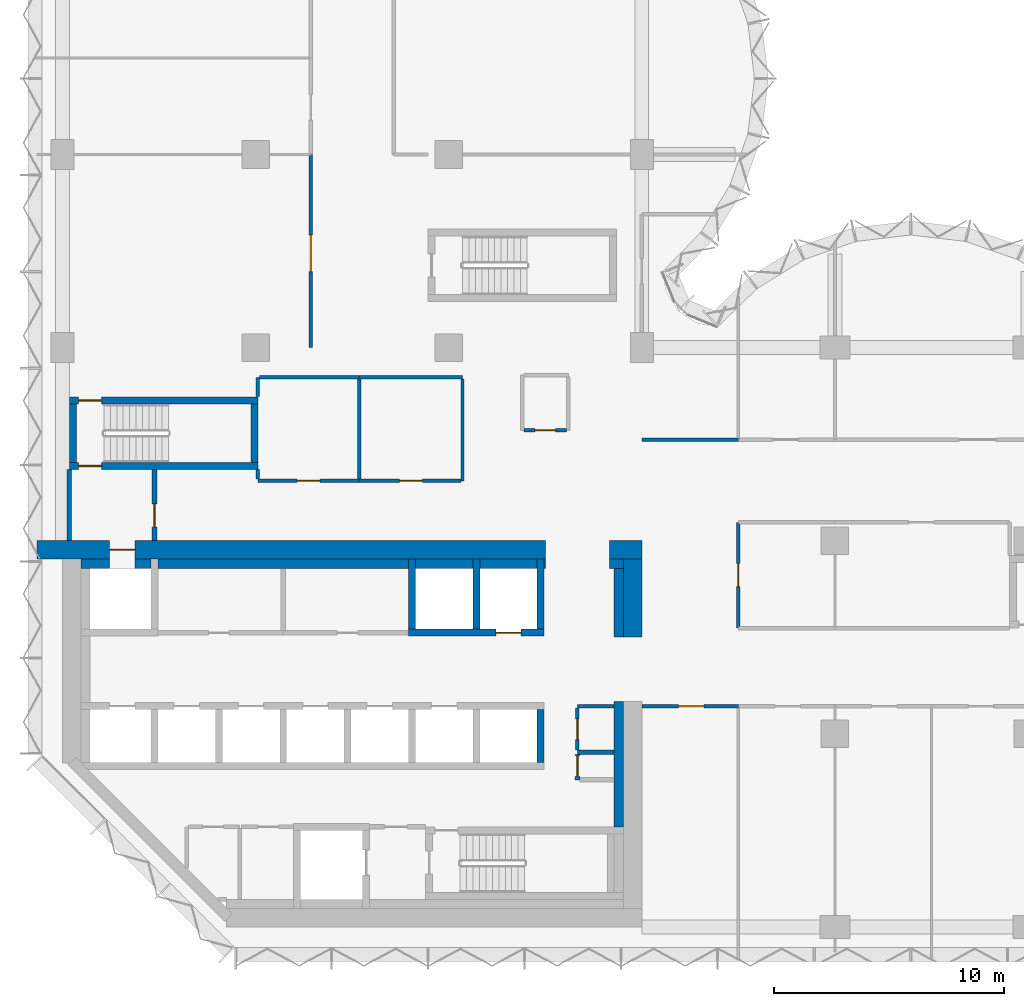
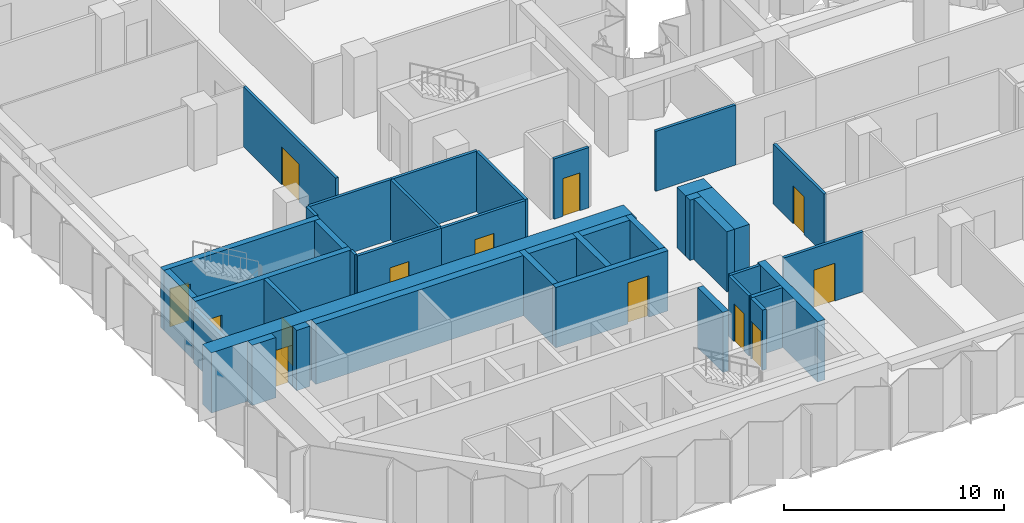
# One storey, part 8 of 13: 40 walls, 13 doors, 13 openings.
"""IFC4 building model written with IfcOpenShell, lengths in metres."""

from ifc_helpers import new_model, si_unit, direction, frame, frame_2d, origin, place, context, subcontext, project, spatial, rectangle, extrude, material, layer, layer_set, type_object, element, fill, save


model = new_model("IFC4")

# Units and contexts
model_context = context("Model", 3, precision=1e-05, world=origin(), true_north=direction((0.0, 1.0)))
body_context = subcontext(model_context, "Body", "Model", "MODEL_VIEW")
ifc_project = project(units=[si_unit("LENGTHUNIT", "METRE"), si_unit("AREAUNIT", "SQUARE_METRE"), si_unit("VOLUMEUNIT", "CUBIC_METRE"), si_unit("PLANEANGLEUNIT", "RADIAN"), si_unit("MASSUNIT", "GRAM", prefix="KILO")], contexts=[model_context])

# Site, building, storey
site_placement = place(None, origin())
site = spatial("IfcSite", under=ifc_project, at=site_placement, CompositionType="ELEMENT")
building_placement = place(site_placement, origin())
building = spatial("IfcBuilding", under=site, at=building_placement, Name="Brevane Broadcast Tower", CompositionType="ELEMENT")
storey_placement = place(building_placement, frame((0.0, 0.0, 131.300048828125)))
storey = spatial("IfcBuildingStorey", under=building, at=storey_placement, Name="L32", CompositionType="ELEMENT", Elevation=131.300048828125)

# Walls
ifc_material_1 = material(Name="Concrete C32/40", Category="concrete")
ifc_layer_1 = layer(ifc_material_1, 0.39990234375)
ifc_layer_set_1 = layer_set([ifc_layer_1], Name="Core chase wall 400 mm")
wall_type_1 = type_object("IfcWallType", Name="Core chase wall 400 mm", PredefinedType="PARTITIONING", material=ifc_layer_set_1)
wall_1_placement = place(storey_placement, frame((24.199951171875, 12.60009765625, 0.0), z_axis=(0.0, 0.0, 1.0), x_axis=(0.0, 1.0, 0.0)))
element("IfcWall", 1, at=wall_1_placement, inside=storey, type_object=wall_type_1, Name="L32 chase wall LE2", PredefinedType="PARTITIONING", context=body_context, shape_type="SweptSolid", body=[
    extrude(rectangle(XDim=3.0, YDim=0.39990234375, at=frame_2d((1.5, 0.0))), origin(), (0.0, 0.0, 1.0), 3.349853515625),
])
wall_2_placement = place(storey_placement, frame((0.800048828125, 15.800048828125, 0.0), z_axis=(0.0, 0.0, 1.0), x_axis=(1.0, 0.0, 0.0)))
element("IfcWall", 2, at=wall_2_placement, inside=storey, type_object=wall_type_1, Name="L32 chase wall LN0", PredefinedType="PARTITIONING", context=body_context, shape_type="SweptSolid", body=[
    extrude(rectangle(XDim=1.25, YDim=0.39990234375, at=frame_2d((0.625, 0.0))), origin(), (0.0, 0.0, 1.0), 3.349853515625),
])
wall_3_placement = place(storey_placement, frame((23.800048828125, 15.800048828125, 0.0), z_axis=(0.0, 0.0, 1.0), x_axis=(1.0, 0.0, 0.0)))
element("IfcWall", 3, at=wall_3_placement, inside=storey, type_object=wall_type_1, Name="L32 chase wall LN2", PredefinedType="PARTITIONING", context=body_context, shape_type="SweptSolid", body=[
    extrude(rectangle(XDim=0.599853515625, YDim=0.39990234375, at=frame_2d((0.2998046875, 0.0))), origin(), (0.0, 0.0, 1.0), 3.349853515625),
])
wall_4_placement = place(storey_placement, frame((3.14990234375, 15.800048828125, 0.0), z_axis=(0.0, 0.0, 1.0), x_axis=(1.0, 0.0, 0.0)))
element("IfcWall", 4, at=wall_4_placement, inside=storey, type_object=wall_type_1, Name="L32 chase wall LN1-1", PredefinedType="PARTITIONING", context=body_context, shape_type="SweptSolid", body=[
    extrude(rectangle(XDim=0.7001953125, YDim=0.39990234375, at=frame_2d((0.35009765625, 0.0))), origin(), (0.0, 0.0, 1.0), 3.349853515625),
])
wall_5_placement = place(storey_placement, frame((4.14990234375, 15.800048828125, 0.0), z_axis=(0.0, 0.0, 1.0), x_axis=(1.0, 0.0, 0.0)))
element("IfcWall", 5, at=wall_5_placement, inside=storey, type_object=wall_type_1, Name="L32 chase wall LN1-2-1", PredefinedType="PARTITIONING", context=body_context, shape_type="SweptSolid", body=[
    extrude(rectangle(XDim=10.900146484375, YDim=0.39990234375, at=frame_2d((5.4501953125, 0.0))), origin(), (0.0, 0.0, 1.0), 3.349853515625),
])
for number, where, z_axis, x_axis, name in (
    (6, (15.35009765625, 15.800048828125, 0.0), (0.0, 0.0, 1.0), (1.0, 0.0, 0.0), "L32 chase wall LN1-2-2-1"),
    (7, (18.14990234375, 15.800048828125, 0.0), (0.0, 0.0, 1.0), (1.0, 0.0, 0.0), "L32 chase wall LN1-2-2-2-1"),
):
    element("IfcWall", number, at=place(storey_placement, frame(where, z_axis=z_axis, x_axis=x_axis)), inside=storey, type_object=wall_type_1, Name=name, PredefinedType="PARTITIONING", context=body_context, shape_type="SweptSolid", body=[
        extrude(rectangle(XDim=2.5, YDim=0.39990234375, at=frame_2d((1.25, 0.0))), origin(), (0.0, 0.0, 1.0), 3.349853515625),
    ])
wall_6_placement = place(storey_placement, frame((20.949951171875, 15.800048828125, 0.0), z_axis=(0.0, 0.0, 1.0), x_axis=(1.0, 0.0, 0.0)))
element("IfcWall", 8, at=wall_6_placement, inside=storey, type_object=wall_type_1, Name="L32 chase wall LN1-2-2-2-2", PredefinedType="PARTITIONING", context=body_context, shape_type="SweptSolid", body=[
    extrude(rectangle(XDim=0.050048828125, YDim=0.39990234375, at=frame_2d((0.02490234375, 0.0))), origin(), (0.0, 0.0, 1.0), 3.349853515625),
])
wall_7_placement = place(storey_placement, frame((24.199951171875, 4.35009765625, 0.0), z_axis=(0.0, 0.0, 1.0), x_axis=(0.0, 1.0, 0.0)))
element("IfcWall", 9, at=wall_7_placement, inside=storey, type_object=wall_type_1, Name="L32 chase wall LE1-2-2", PredefinedType="PARTITIONING", context=body_context, shape_type="SweptSolid", body=[
    extrude(rectangle(XDim=5.449951171875, YDim=0.39990234375, at=frame_2d((2.72509765625, 0.0))), origin(), (0.0, 0.0, 1.0), 3.349853515625),
])

# Wall, opening, door
ifc_material_2 = material(Name="Gypsum board on steel studs", Category="steel")
ifc_layer_2 = layer(ifc_material_2, 0.14990234375)
ifc_layer_set_2 = layer_set([ifc_layer_2], Name="Core fire partition 150 mm")
wall_type_2 = type_object("IfcWallType", Name="Core fire partition 150 mm", PredefinedType="PARTITIONING", material=ifc_layer_set_2)
wall_8_placement = place(storey_placement, frame((12.89990234375, 19.39990234375, 0.0), z_axis=(0.0, 0.0, 1.0), x_axis=(-1.0, 0.0, 0.0)))
wall_8 = element("IfcWall", 10, at=wall_8_placement, inside=storey, type_object=wall_type_2, Name="L32 partition wall P15", PredefinedType="PARTITIONING", context=body_context, shape_type="SweptSolid", body=[
    extrude(rectangle(XDim=4.39990234375, YDim=0.14990234375, at=frame_2d((2.199951171875, 0.0))), origin(), (0.0, 0.0, 1.0), 3.349853515625),
])
opening_1_placement = place(wall_8_placement, frame((1.699951171875, 0.0, 0.0)))
opening_1 = element("IfcOpeningElement", 11, at=opening_1_placement, cuts=wall_8, Name="Opening L32-K25", PredefinedType="OPENING", context=body_context, shape_type="SweptSolid", body=[
    extrude(rectangle(XDim=1.0, YDim=2.10009765625, at=frame_2d((0.5, 1.050048828125))), frame((0.0, 0.0849609375, 0.0), z_axis=(0.0, -1.0, 0.0), x_axis=(1.0, 0.0, 0.0)), (0.0, 0.0, 1.0), 0.169921875),
])
ifc_material_3 = material(Name="Steel", Category="steel")
door_type_1 = type_object("IfcDoorType", Name="Service room door 1000 x 2100", OperationType="SINGLE_SWING_LEFT", PredefinedType="DOOR", material=ifc_material_3)
door_1_placement = place(opening_1_placement, origin())
door_1 = element("IfcDoor", 12, at=door_1_placement, inside=storey, type_object=door_type_1, Name="Door L32-K25", OperationType="SINGLE_SWING_RIGHT", OverallHeight=2.10009765625, OverallWidth=1.0, PredefinedType="DOOR", context=body_context, shape_type="SweptSolid", body=[
    extrude(rectangle(XDim=1.0, YDim=2.10009765625, at=frame_2d((0.5, 1.050048828125))), frame((0.0, 0.02490234375, 0.0), z_axis=(0.0, -1.0, 0.0), x_axis=(1.0, 0.0, 0.0)), (0.0, 0.0, 1.0), 0.050048828125),
])
fill(opening_1, door_1)

# Walls
wall_9_placement = place(storey_placement, frame((8.5, 19.47509765625, 0.0), z_axis=(0.0, 0.0, 1.0), x_axis=(0.0, 1.0, 0.0)))
element("IfcWall", 13, at=wall_9_placement, inside=storey, type_object=wall_type_2, Name="L32 partition wall P16", PredefinedType="PARTITIONING", context=body_context, shape_type="SweptSolid", body=[
    extrude(rectangle(XDim=0.412841796875, YDim=0.14990234375, at=frame_2d((0.20654296875, 0.0))), origin(), (0.0, 0.0, 1.0), 3.349853515625),
])
wall_10_placement = place(storey_placement, frame((8.5, 23.06201171875, 0.0), z_axis=(0.0, 0.0, 1.0), x_axis=(0.0, 1.0, 0.0)))
element("IfcWall", 14, at=wall_10_placement, inside=storey, type_object=wall_type_2, Name="L32 partition wall P17", PredefinedType="PARTITIONING", context=body_context, shape_type="SweptSolid", body=[
    extrude(rectangle(XDim=0.837890625, YDim=0.14990234375, at=frame_2d((0.4189453125, 0.0))), origin(), (0.0, 0.0, 1.0), 3.349853515625),
])
wall_11_placement = place(storey_placement, frame((8.574951171875, 23.89990234375, 0.0), z_axis=(0.0, 0.0, 1.0), x_axis=(1.0, 0.0, 0.0)))
element("IfcWall", 15, at=wall_11_placement, inside=storey, type_object=wall_type_2, Name="L32 partition wall P18", PredefinedType="PARTITIONING", context=body_context, shape_type="SweptSolid", body=[
    extrude(rectangle(XDim=4.324951171875, YDim=0.14990234375, at=frame_2d((2.16259765625, 0.0))), origin(), (0.0, 0.0, 1.0), 3.349853515625),
])
wall_12_placement = place(storey_placement, frame((12.89990234375, 23.89990234375, 0.0), z_axis=(0.0, 0.0, 1.0), x_axis=(1.0, 0.0, 0.0)))
element("IfcWall", 16, at=wall_12_placement, inside=storey, type_object=wall_type_2, Name="L32 partition wall P19", PredefinedType="PARTITIONING", context=body_context, shape_type="SweptSolid", body=[
    extrude(rectangle(XDim=4.5, YDim=0.14990234375, at=frame_2d((2.25, 0.0))), origin(), (0.0, 0.0, 1.0), 3.349853515625),
])
wall_13_placement = place(storey_placement, frame((17.39990234375, 23.824951171875, 0.0), z_axis=(0.0, 0.0, 1.0), x_axis=(0.0, -1.0, 0.0)))
element("IfcWall", 17, at=wall_13_placement, inside=storey, type_object=wall_type_2, Name="L32 partition wall P20", PredefinedType="PARTITIONING", context=body_context, shape_type="SweptSolid", body=[
    extrude(rectangle(XDim=4.425048828125, YDim=0.14990234375, at=frame_2d((2.21240234375, 0.0))), origin(), (0.0, 0.0, 1.0), 3.349853515625),
])

# Wall, opening, door
wall_14_placement = place(storey_placement, frame((17.324951171875, 19.39990234375, 0.0), z_axis=(0.0, 0.0, 1.0), x_axis=(-1.0, 0.0, 0.0)))
wall_14 = element("IfcWall", 18, at=wall_14_placement, inside=storey, type_object=wall_type_2, Name="L32 partition wall P21", PredefinedType="PARTITIONING", context=body_context, shape_type="SweptSolid", body=[
    extrude(rectangle(XDim=4.425048828125, YDim=0.14990234375, at=frame_2d((2.21240234375, 0.0))), origin(), (0.0, 0.0, 1.0), 3.349853515625),
])
opening_2_placement = place(wall_14_placement, frame((1.675048828125, 0.0, 0.0)))
opening_2 = element("IfcOpeningElement", 19, at=opening_2_placement, cuts=wall_14, Name="Opening L32-K26", PredefinedType="OPENING", context=body_context, shape_type="SweptSolid", body=[
    extrude(rectangle(XDim=1.0, YDim=2.10009765625, at=frame_2d((0.5, 1.050048828125))), frame((0.0, 0.0849609375, 0.0), z_axis=(0.0, -1.0, 0.0), x_axis=(1.0, 0.0, 0.0)), (0.0, 0.0, 1.0), 0.169921875),
])
door_2_placement = place(opening_2_placement, origin())
door_2 = element("IfcDoor", 20, at=door_2_placement, inside=storey, type_object=door_type_1, Name="Door L32-K26", OperationType="SINGLE_SWING_LEFT", OverallHeight=2.10009765625, OverallWidth=1.0, PredefinedType="DOOR", context=body_context, shape_type="SweptSolid", body=[
    extrude(rectangle(XDim=1.0, YDim=2.10009765625, at=frame_2d((0.5, 1.050048828125))), frame((0.0, 0.02490234375, 0.0), z_axis=(0.0, -1.0, 0.0), x_axis=(1.0, 0.0, 0.0)), (0.0, 0.0, 1.0), 0.050048828125),
])
fill(opening_2, door_2)

# Walls
wall_15_placement = place(storey_placement, frame((12.89990234375, 23.824951171875, 0.0), z_axis=(0.0, 0.0, 1.0), x_axis=(0.0, -1.0, 0.0)))
element("IfcWall", 21, at=wall_15_placement, inside=storey, type_object=wall_type_2, Name="L32 partition wall P22", PredefinedType="PARTITIONING", context=body_context, shape_type="SweptSolid", body=[
    extrude(rectangle(XDim=4.349853515625, YDim=0.14990234375, at=frame_2d((2.1748046875, 0.0))), origin(), (0.0, 0.0, 1.0), 3.349853515625),
])
wall_16_placement = place(storey_placement, frame((23.988037109375, 9.60009765625, 0.0), z_axis=(0.0, 0.0, 1.0), x_axis=(-1.0, 0.0, 0.0)))
element("IfcWall", 22, at=wall_16_placement, inside=storey, type_object=wall_type_2, Name="L32 partition wall P23", PredefinedType="PARTITIONING", context=body_context, shape_type="SweptSolid", body=[
    extrude(rectangle(XDim=1.588134765625, YDim=0.14990234375, at=frame_2d((0.7939453125, 0.0))), origin(), (0.0, 0.0, 1.0), 3.349853515625),
])

# Wall, opening, door
wall_17_placement = place(storey_placement, frame((22.39990234375, 9.52490234375, 0.0), z_axis=(0.0, 0.0, 1.0), x_axis=(0.0, -1.0, 0.0)))
wall_17 = element("IfcWall", 23, at=wall_17_placement, inside=storey, type_object=wall_type_2, Name="L32 partition wall P24", PredefinedType="PARTITIONING", context=body_context, shape_type="SweptSolid", body=[
    extrude(rectangle(XDim=1.824951171875, YDim=0.14990234375, at=frame_2d((0.91259765625, 0.0))), origin(), (0.0, 0.0, 1.0), 3.349853515625),
])
opening_3_placement = place(wall_17_placement, frame((0.47509765625, 0.0, 0.0)))
opening_3 = element("IfcOpeningElement", 24, at=opening_3_placement, cuts=wall_17, Name="Opening L32-K20", PredefinedType="OPENING", context=body_context, shape_type="SweptSolid", body=[
    extrude(rectangle(XDim=0.89990234375, YDim=2.10009765625, at=frame_2d((0.449951171875, 1.050048828125))), frame((0.0, 0.0849609375, 0.0), z_axis=(0.0, -1.0, 0.0), x_axis=(1.0, 0.0, 0.0)), (0.0, 0.0, 1.0), 0.169921875),
])
door_type_2 = type_object("IfcDoorType", Name="Service room door 900 x 2100", OperationType="SINGLE_SWING_LEFT", PredefinedType="DOOR", material=ifc_material_3)
door_3_placement = place(opening_3_placement, origin())
door_3 = element("IfcDoor", 25, at=door_3_placement, inside=storey, type_object=door_type_2, Name="Door L32-K20", OperationType="SINGLE_SWING_LEFT", OverallHeight=2.10009765625, OverallWidth=0.89990234375, PredefinedType="DOOR", context=body_context, shape_type="SweptSolid", body=[
    extrude(rectangle(XDim=0.89990234375, YDim=2.10009765625, at=frame_2d((0.449951171875, 1.050048828125))), frame((0.0, 0.02490234375, 0.0), z_axis=(0.0, -1.0, 0.0), x_axis=(1.0, 0.0, 0.0)), (0.0, 0.0, 1.0), 0.050048828125),
])
fill(opening_3, door_3)

wall_18_placement = place(storey_placement, frame((21.925048828125, 21.60009765625, 0.0), z_axis=(0.0, 0.0, 1.0), x_axis=(-1.0, 0.0, 0.0)))
wall_18 = element("IfcWall", 26, at=wall_18_placement, inside=storey, type_object=wall_type_2, Name="L32 partition wall P28", PredefinedType="PARTITIONING", context=body_context, shape_type="SweptSolid", body=[
    extrude(rectangle(XDim=1.85009765625, YDim=0.14990234375, at=frame_2d((0.925048828125, 0.0))), origin(), (0.0, 0.0, 1.0), 3.349853515625),
])
opening_4_placement = place(wall_18_placement, frame((0.47509765625, 0.0, 0.0)))
opening_4 = element("IfcOpeningElement", 27, at=opening_4_placement, cuts=wall_18, Name="Opening L32-K24", PredefinedType="OPENING", context=body_context, shape_type="SweptSolid", body=[
    extrude(rectangle(XDim=0.89990234375, YDim=2.10009765625, at=frame_2d((0.449951171875, 1.050048828125))), frame((0.0, 0.0849609375, 0.0), z_axis=(0.0, -1.0, 0.0), x_axis=(1.0, 0.0, 0.0)), (0.0, 0.0, 1.0), 0.169921875),
])
ifc_material_4 = material(Name="Timber", Category="wood")
door_type_3 = type_object("IfcDoorType", Name="Toilet door 900 x 2100", OperationType="SINGLE_SWING_LEFT", PredefinedType="DOOR", material=ifc_material_4)
door_4_placement = place(opening_4_placement, origin())
door_4 = element("IfcDoor", 28, at=door_4_placement, inside=storey, type_object=door_type_3, Name="Door L32-K24", OperationType="SINGLE_SWING_LEFT", OverallHeight=2.10009765625, OverallWidth=0.89990234375, PredefinedType="DOOR", context=body_context, shape_type="SweptSolid", body=[
    extrude(rectangle(XDim=0.89990234375, YDim=2.10009765625, at=frame_2d((0.449951171875, 1.050048828125))), frame((0.0, 0.02490234375, 0.0), z_axis=(0.0, -1.0, 0.0), x_axis=(1.0, 0.0, 0.0)), (0.0, 0.0, 1.0), 0.050048828125),
])
fill(opening_4, door_4)

# Wall
ifc_layer_3 = layer(ifc_material_2, 0.199951171875)
ifc_layer_set_3 = layer_set([ifc_layer_3], Name="Core fire partition 200 mm")
wall_type_3 = type_object("IfcWallType", Name="Core fire partition 200 mm", PredefinedType="PARTITIONING", material=ifc_layer_set_3)
wall_19_placement = place(storey_placement, frame((0.300048828125, 16.81201171875, 0.0), z_axis=(0.0, 0.0, 1.0), x_axis=(0.0, 1.0, 0.0)))
element("IfcWall", 29, at=wall_19_placement, inside=storey, type_object=wall_type_3, Name="L32 partition wall P01", PredefinedType="PARTITIONING", context=body_context, shape_type="SweptSolid", body=[
    extrude(rectangle(XDim=3.075927734375, YDim=0.199951171875, at=frame_2d((1.5380859375, 0.0))), origin(), (0.0, 0.0, 1.0), 2.97998046875),
])

# Wall, opening, door
wall_20_placement = place(storey_placement, frame((4.0, 19.887939453125, 0.0), z_axis=(0.0, 0.0, 1.0), x_axis=(0.0, -1.0, 0.0)))
wall_20 = element("IfcWall", 30, at=wall_20_placement, inside=storey, type_object=wall_type_3, Name="L32 partition wall P02", PredefinedType="PARTITIONING", context=body_context, shape_type="SweptSolid", body=[
    extrude(rectangle(XDim=3.075927734375, YDim=0.199951171875, at=frame_2d((1.5380859375, 0.0))), origin(), (0.0, 0.0, 1.0), 3.349853515625),
])
opening_5_placement = place(wall_20_placement, frame((1.488037109375, 0.0, 0.0)))
opening_5 = element("IfcOpeningElement", 31, at=opening_5_placement, cuts=wall_20, Name="Opening L32-K23", PredefinedType="OPENING", context=body_context, shape_type="SweptSolid", body=[
    extrude(rectangle(XDim=1.0, YDim=2.10009765625, at=frame_2d((0.5, 1.050048828125))), frame((0.0, 0.10986328125, 0.0), z_axis=(0.0, -1.0, 0.0), x_axis=(1.0, 0.0, 0.0)), (0.0, 0.0, 1.0), 0.219970703125),
])
door_type_4 = type_object("IfcDoorType", Name="Stair door 1000 x 2100", OperationType="SINGLE_SWING_LEFT", PredefinedType="DOOR", material=ifc_material_3)
door_5_placement = place(opening_5_placement, origin())
door_5 = element("IfcDoor", 32, at=door_5_placement, inside=storey, type_object=door_type_4, Name="Door L32-K23", OperationType="SINGLE_SWING_RIGHT", OverallHeight=2.10009765625, OverallWidth=1.0, PredefinedType="DOOR", context=body_context, shape_type="SweptSolid", body=[
    extrude(rectangle(XDim=1.0, YDim=2.10009765625, at=frame_2d((0.5, 1.050048828125))), frame((0.0, 0.02490234375, 0.0), z_axis=(0.0, -1.0, 0.0), x_axis=(1.0, 0.0, 0.0)), (0.0, 0.0, 1.0), 0.050048828125),
])
fill(opening_5, door_5)

# Wall
wall_21_placement = place(storey_placement, frame((23.988037109375, 7.60009765625, 0.0), z_axis=(0.0, 0.0, 1.0), x_axis=(-1.0, 0.0, 0.0)))
element("IfcWall", 33, at=wall_21_placement, inside=storey, type_object=wall_type_3, Name="L32 partition wall P07", PredefinedType="PARTITIONING", context=body_context, shape_type="SweptSolid", body=[
    extrude(rectangle(XDim=1.588134765625, YDim=0.199951171875, at=frame_2d((0.7939453125, 0.0))), origin(), (0.0, 0.0, 1.0), 3.349853515625),
])

# Wall, opening, door
wall_22_placement = place(storey_placement, frame((22.39990234375, 7.5, 0.0), z_axis=(0.0, 0.0, 1.0), x_axis=(0.0, -1.0, 0.0)))
wall_22 = element("IfcWall", 34, at=wall_22_placement, inside=storey, type_object=wall_type_3, Name="L32 partition wall P08", PredefinedType="PARTITIONING", context=body_context, shape_type="SweptSolid", body=[
    extrude(rectangle(XDim=1.10009765625, YDim=0.199951171875, at=frame_2d((0.550048828125, 0.0))), origin(), (0.0, 0.0, 1.0), 3.349853515625),
])
opening_6_placement = place(wall_22_placement, frame((0.050048828125, 0.0, 0.0)))
opening_6 = element("IfcOpeningElement", 35, at=opening_6_placement, cuts=wall_22, Name="Opening L32-K19", PredefinedType="OPENING", context=body_context, shape_type="SweptSolid", body=[
    extrude(rectangle(XDim=0.89990234375, YDim=2.10009765625, at=frame_2d((0.449951171875, 1.050048828125))), frame((0.0, 0.10986328125, 0.0), z_axis=(0.0, -1.0, 0.0), x_axis=(1.0, 0.0, 0.0)), (0.0, 0.0, 1.0), 0.219970703125),
])
door_6_placement = place(opening_6_placement, origin())
door_6 = element("IfcDoor", 36, at=door_6_placement, inside=storey, type_object=door_type_2, Name="Door L32-K19", OperationType="SINGLE_SWING_RIGHT", OverallHeight=2.10009765625, OverallWidth=0.89990234375, PredefinedType="DOOR", context=body_context, shape_type="SweptSolid", body=[
    extrude(rectangle(XDim=0.89990234375, YDim=2.10009765625, at=frame_2d((0.449951171875, 1.050048828125))), frame((0.0, 0.02490234375, 0.0), z_axis=(0.0, -1.0, 0.0), x_axis=(1.0, 0.0, 0.0)), (0.0, 0.0, 1.0), 0.050048828125),
])
fill(opening_6, door_6)

# Wall
ifc_material_5 = material(Name="Concrete C60/75", Category="concrete")
ifc_layer_4 = layer(ifc_material_5, 0.300048828125)
ifc_layer_set_4 = layer_set([ifc_layer_4], Name="Core wall 300 mm C60/75")
wall_type_4 = type_object("IfcWallType", Name="Core wall 300 mm C60/75", PredefinedType="SHEAR", material=ifc_layer_set_4)
wall_23_placement = place(storey_placement, frame((20.800048828125, 7.14990234375, 0.0), z_axis=(0.0, 0.0, 1.0), x_axis=(0.0, 1.0, 0.0)))
element("IfcWall", 37, at=wall_23_placement, inside=storey, type_object=wall_type_4, Name="L32 shaft wall SH-S-P208", PredefinedType="SHEAR", context=body_context, shape_type="SweptSolid", body=[
    extrude(rectangle(XDim=2.300048828125, YDim=0.300048828125, at=frame_2d((1.14990234375, 0.0))), origin(), (0.0, 0.0, 1.0), 3.349853515625),
])

# Wall, opening, door
wall_24_placement = place(storey_placement, frame((15.050048828125, 12.800048828125, 0.0), z_axis=(0.0, 0.0, 1.0), x_axis=(1.0, 0.0, 0.0)))
wall_24 = element("IfcWall", 38, at=wall_24_placement, inside=storey, type_object=wall_type_4, Name="L32 shaft wall SH-N152-front", PredefinedType="SHEAR", context=body_context, shape_type="SweptSolid", body=[
    extrude(rectangle(XDim=5.89990234375, YDim=0.300048828125, at=frame_2d((2.949951171875, 0.0))), origin(), (0.0, 0.0, 1.0), 3.349853515625),
])
opening_7_placement = place(wall_24_placement, frame((3.800048828125, 0.0, 0.0)))
opening_7 = element("IfcOpeningElement", 39, at=opening_7_placement, cuts=wall_24, Name="Opening LD", PredefinedType="OPENING", context=body_context, shape_type="SweptSolid", body=[
    extrude(rectangle(XDim=1.10009765625, YDim=2.300048828125, at=frame_2d((0.550048828125, 1.14990234375))), frame((0.0, 0.159912109375, 0.0), z_axis=(0.0, -1.0, 0.0), x_axis=(1.0, 0.0, 0.0)), (0.0, 0.0, 1.0), 0.320068359375),
])
ifc_material_6 = material(Name="Stainless steel", Category="steel")
door_type_5 = type_object("IfcDoorType", Name="Lift landing door", OperationType="SLIDING_TO_LEFT", PredefinedType="DOOR", material=ifc_material_6)
door_7_placement = place(opening_7_placement, origin())
door_7 = element("IfcDoor", 40, at=door_7_placement, inside=storey, type_object=door_type_5, Name="Landing door SL1 L32", OperationType="SLIDING_TO_LEFT", OverallHeight=2.300048828125, OverallWidth=1.10009765625, PredefinedType="DOOR", context=body_context, shape_type="SweptSolid", body=[
    extrude(rectangle(XDim=1.10009765625, YDim=2.300048828125, at=frame_2d((0.550048828125, 1.14990234375))), frame((0.0, 0.02490234375, 0.0), z_axis=(0.0, -1.0, 0.0), x_axis=(1.0, 0.0, 0.0)), (0.0, 0.0, 1.0), 0.050048828125),
])
fill(opening_7, door_7)

# Walls
for number, where, z_axis, x_axis, name in (
    (41, (15.199951171875, 12.949951171875, 0.0), (0.0, 0.0, 1.0), (0.0, 1.0, 0.0), "L32 shaft wall SH-N-P152"),
    (42, (18.0, 12.949951171875, 0.0), (0.0, 0.0, 1.0), (0.0, 1.0, 0.0), "L32 shaft wall SH-N-P180"),
    (43, (20.800048828125, 12.949951171875, 0.0), (0.0, 0.0, 1.0), (0.0, 1.0, 0.0), "L32 shaft wall SH-N-P208"),
):
    element("IfcWall", number, at=place(storey_placement, frame(where, z_axis=z_axis, x_axis=x_axis)), inside=storey, type_object=wall_type_4, Name=name, PredefinedType="SHEAR", context=body_context, shape_type="SweptSolid", body=[
        extrude(rectangle(XDim=3.050048828125, YDim=0.300048828125, at=frame_2d((1.52490234375, 0.0))), origin(), (0.0, 0.0, 1.0), 3.349853515625),
    ])

# Wall, opening, door
wall_25_placement = place(storey_placement, frame((8.5, 20.050048828125, 0.0), z_axis=(0.0, 0.0, 1.0), x_axis=(-1.0, 0.0, 0.0)))
wall_25 = element("IfcWall", 44, at=wall_25_placement, inside=storey, type_object=wall_type_4, Name="L32 stair wall ST-1-S", PredefinedType="SHEAR", context=body_context, shape_type="SweptSolid", body=[
    extrude(rectangle(XDim=8.199951171875, YDim=0.300048828125, at=frame_2d((4.10009765625, 0.0))), origin(), (0.0, 0.0, 1.0), 3.349853515625),
])
opening_8_placement = place(wall_25_placement, frame((6.800048828125, 0.0, 0.0)))
opening_8 = element("IfcOpeningElement", 45, at=opening_8_placement, cuts=wall_25, Name="Opening L32-K10", PredefinedType="OPENING", context=body_context, shape_type="SweptSolid", body=[
    extrude(rectangle(XDim=1.0, YDim=2.10009765625, at=frame_2d((0.5, 1.050048828125))), frame((0.0, 0.159912109375, 0.0), z_axis=(0.0, -1.0, 0.0), x_axis=(1.0, 0.0, 0.0)), (0.0, 0.0, 1.0), 0.320068359375),
])
door_8_placement = place(opening_8_placement, origin())
door_8 = element("IfcDoor", 46, at=door_8_placement, inside=storey, type_object=door_type_4, Name="Door L32-K10", OperationType="SINGLE_SWING_LEFT", OverallHeight=2.10009765625, OverallWidth=1.0, PredefinedType="DOOR", context=body_context, shape_type="SweptSolid", body=[
    extrude(rectangle(XDim=1.0, YDim=2.10009765625, at=frame_2d((0.5, 1.050048828125))), frame((0.0, 0.02490234375, 0.0), z_axis=(0.0, -1.0, 0.0), x_axis=(1.0, 0.0, 0.0)), (0.0, 0.0, 1.0), 0.050048828125),
])
fill(opening_8, door_8)

wall_26_placement = place(storey_placement, frame((0.300048828125, 22.89990234375, 0.0), z_axis=(0.0, 0.0, 1.0), x_axis=(1.0, 0.0, 0.0)))
wall_26 = element("IfcWall", 47, at=wall_26_placement, inside=storey, type_object=wall_type_4, Name="L32 stair wall ST-1-N", PredefinedType="SHEAR", context=body_context, shape_type="SweptSolid", body=[
    extrude(rectangle(XDim=8.199951171875, YDim=0.300048828125, at=frame_2d((4.10009765625, 0.0))), origin(), (0.0, 0.0, 1.0), 3.349853515625),
])
opening_9_placement = place(wall_26_placement, frame((0.39990234375, 0.0, 0.0)))
opening_9 = element("IfcOpeningElement", 48, at=opening_9_placement, cuts=wall_26, Name="Opening L32-K11", PredefinedType="OPENING", context=body_context, shape_type="SweptSolid", body=[
    extrude(rectangle(XDim=1.0, YDim=2.10009765625, at=frame_2d((0.5, 1.050048828125))), frame((0.0, 0.159912109375, 0.0), z_axis=(0.0, -1.0, 0.0), x_axis=(1.0, 0.0, 0.0)), (0.0, 0.0, 1.0), 0.320068359375),
])
door_9_placement = place(opening_9_placement, origin())
door_9 = element("IfcDoor", 49, at=door_9_placement, inside=storey, type_object=door_type_4, Name="Door L32-K11", OperationType="SINGLE_SWING_RIGHT", OverallHeight=2.10009765625, OverallWidth=1.0, PredefinedType="DOOR", context=body_context, shape_type="SweptSolid", body=[
    extrude(rectangle(XDim=1.0, YDim=2.10009765625, at=frame_2d((0.5, 1.050048828125))), frame((0.0, 0.02490234375, 0.0), z_axis=(0.0, -1.0, 0.0), x_axis=(1.0, 0.0, 0.0)), (0.0, 0.0, 1.0), 0.050048828125),
])
fill(opening_9, door_9)

# Walls
for number, where, z_axis, x_axis, name in (
    (50, (0.449951171875, 20.199951171875, 0.0), (0.0, 0.0, 1.0), (0.0, 1.0, 0.0), "L32 stair wall ST-1-W"),
    (51, (8.35009765625, 20.199951171875, 0.0), (0.0, 0.0, 1.0), (0.0, 1.0, 0.0), "L32 stair wall ST-1-E"),
):
    element("IfcWall", number, at=place(storey_placement, frame(where, z_axis=z_axis, x_axis=x_axis)), inside=storey, type_object=wall_type_4, Name=name, PredefinedType="SHEAR", context=body_context, shape_type="SweptSolid", body=[
        extrude(rectangle(XDim=2.550048828125, YDim=0.300048828125, at=frame_2d((1.27490234375, 0.0))), origin(), (0.0, 0.0, 1.0), 3.349853515625),
    ])

# Wall, opening, door
ifc_layer_5 = layer(ifc_material_5, 0.800048828125)
ifc_layer_set_5 = layer_set([ifc_layer_5], Name="Core wall 800 mm C60/75")
wall_type_5 = type_object("IfcWallType", Name="Core wall 800 mm C60/75", PredefinedType="SHEAR", material=ifc_layer_set_5)
wall_27_placement = place(storey_placement, frame((-1.10009765625, 16.39990234375, 0.0), z_axis=(0.0, 0.0, 1.0), x_axis=(1.0, 0.0, 0.0)))
wall_27 = element("IfcWall", 52, at=wall_27_placement, inside=storey, type_object=wall_type_5, Name="L32 outer wall WN1", PredefinedType="SHEAR", context=body_context, shape_type="SweptSolid", body=[
    extrude(rectangle(XDim=22.10009765625, YDim=0.800048828125, at=frame_2d((11.050048828125, 0.0))), origin(), (0.0, 0.0, 1.0), 3.349853515625),
])
opening_10_placement = place(wall_27_placement, frame((3.14990234375, 0.0, 0.0)))
opening_10 = element("IfcOpeningElement", 53, at=opening_10_placement, cuts=wall_27, Name="Opening LD", PredefinedType="OPENING", context=body_context, shape_type="SweptSolid", body=[
    extrude(rectangle(XDim=1.10009765625, YDim=2.300048828125, at=frame_2d((0.550048828125, 1.14990234375))), frame((0.0, 0.409912109375, 0.0), z_axis=(0.0, -1.0, 0.0), x_axis=(1.0, 0.0, 0.0)), (0.0, 0.0, 1.0), 0.820068359375),
])
door_10_placement = place(opening_10_placement, origin())
door_10 = element("IfcDoor", 54, at=door_10_placement, inside=storey, type_object=door_type_5, Name="Landing door FF1 L32", OperationType="SLIDING_TO_LEFT", OverallHeight=2.300048828125, OverallWidth=1.10009765625, PredefinedType="DOOR", context=body_context, shape_type="SweptSolid", body=[
    extrude(rectangle(XDim=1.10009765625, YDim=2.300048828125, at=frame_2d((0.550048828125, 1.14990234375))), frame((0.0, 0.02490234375, 0.0), z_axis=(0.0, -1.0, 0.0), x_axis=(1.0, 0.0, 0.0)), (0.0, 0.0, 1.0), 0.050048828125),
])
fill(opening_10, door_10)

# Walls
wall_28_placement = place(storey_placement, frame((23.800048828125, 16.39990234375, 0.0), z_axis=(0.0, 0.0, 1.0), x_axis=(1.0, 0.0, 0.0)))
element("IfcWall", 55, at=wall_28_placement, inside=storey, type_object=wall_type_5, Name="L32 outer wall WN2", PredefinedType="SHEAR", context=body_context, shape_type="SweptSolid", body=[
    extrude(rectangle(XDim=1.39990234375, YDim=0.800048828125, at=frame_2d((0.699951171875, 0.0))), origin(), (0.0, 0.0, 1.0), 3.349853515625),
])
wall_29_placement = place(storey_placement, frame((24.800048828125, 12.60009765625, 0.0), z_axis=(0.0, 0.0, 1.0), x_axis=(0.0, 1.0, 0.0)))
element("IfcWall", 56, at=wall_29_placement, inside=storey, type_object=wall_type_5, Name="L32 outer wall WE2", PredefinedType="SHEAR", context=body_context, shape_type="SweptSolid", body=[
    extrude(rectangle(XDim=3.39990234375, YDim=0.800048828125, at=frame_2d((1.699951171875, 0.0))), origin(), (0.0, 0.0, 1.0), 3.349853515625),
])
ifc_material_7 = material(Name="Gypsum board partition")
ifc_layer_6 = layer(ifc_material_7, 0.14990234375)
ifc_layer_set_6 = layer_set([ifc_layer_6], Name="PARTITION 150 EI 60")
wall_type_6 = type_object("IfcWallType", Name="PARTITION 150 EI 60", PredefinedType="PARTITIONING", material=ifc_layer_set_6)
wall_30_placement = place(storey_placement, frame((25.199951171875, 21.199951171875, 0.0), z_axis=(0.0, 0.0, 1.0), x_axis=(1.0, 0.0, 0.0)))
element("IfcWall", 57, at=wall_30_placement, inside=storey, type_object=wall_type_6, Name="Partition G09-001", PredefinedType="PARTITIONING", context=body_context, shape_type="SweptSolid", body=[
    extrude(rectangle(XDim=4.199951171875, YDim=0.14990234375, at=frame_2d((2.10009765625, 0.0))), origin(), (0.0, 0.0, 1.0), 3.329833984375),
])

# Wall, opening, door
wall_31_placement = place(storey_placement, frame((29.39990234375, 17.60009765625, 0.0), z_axis=(0.0, 0.0, 1.0), x_axis=(0.0, -1.0, 0.0)))
wall_31 = element("IfcWall", 58, at=wall_31_placement, inside=storey, type_object=wall_type_6, Name="Partition G09-002", PredefinedType="PARTITIONING", context=body_context, shape_type="SweptSolid", body=[
    extrude(rectangle(XDim=4.60009765625, YDim=0.14990234375, at=frame_2d((2.300048828125, 0.0))), origin(), (0.0, 0.0, 1.0), 3.329833984375),
])
opening_11_placement = place(wall_31_placement, frame((1.800048828125, 0.0, 0.0)))
opening_11 = element("IfcOpeningElement", 59, at=opening_11_placement, cuts=wall_31, Name="Opening D16-003", PredefinedType="OPENING", context=body_context, shape_type="SweptSolid", body=[
    extrude(rectangle(XDim=1.0, YDim=2.10009765625, at=frame_2d((0.5, 1.050048828125))), frame((0.0, 0.0849609375, 0.0), z_axis=(0.0, -1.0, 0.0), x_axis=(1.0, 0.0, 0.0)), (0.0, 0.0, 1.0), 0.169921875),
])
ifc_material_8 = material(Name="Fire-rated timber door leaf", Category="wood")
door_type_6 = type_object("IfcDoorType", Name="DOOR SINGLE 1000 FD30S", OperationType="SINGLE_SWING_LEFT", PredefinedType="DOOR", material=ifc_material_8)
door_11_placement = place(opening_11_placement, origin())
door_11 = element("IfcDoor", 60, at=door_11_placement, inside=storey, type_object=door_type_6, Name="Door D16-003", OperationType="SINGLE_SWING_LEFT", OverallHeight=2.10009765625, OverallWidth=1.0, PredefinedType="DOOR", context=body_context, shape_type="SweptSolid", body=[
    extrude(rectangle(XDim=1.0, YDim=2.10009765625, at=frame_2d((0.5, 1.050048828125))), frame((0.0, 0.02490234375, 0.0), z_axis=(0.0, -1.0, 0.0), x_axis=(1.0, 0.0, 0.0)), (0.0, 0.0, 1.0), 0.050048828125),
])
fill(opening_11, door_11)

wall_32_placement = place(storey_placement, frame((29.39990234375, 9.60009765625, 0.0), z_axis=(0.0, 0.0, 1.0), x_axis=(-1.0, 0.0, 0.0)))
wall_32 = element("IfcWall", 61, at=wall_32_placement, inside=storey, type_object=wall_type_6, Name="Partition G09-003", PredefinedType="PARTITIONING", context=body_context, shape_type="SweptSolid", body=[
    extrude(rectangle(XDim=4.199951171875, YDim=0.14990234375, at=frame_2d((2.10009765625, 0.0))), origin(), (0.0, 0.0, 1.0), 3.329833984375),
])
opening_12_placement = place(wall_32_placement, frame((1.5, 0.0, 0.0)))
opening_12 = element("IfcOpeningElement", 62, at=opening_12_placement, cuts=wall_32, Name="Opening D16-006", PredefinedType="OPENING", context=body_context, shape_type="SweptSolid", body=[
    extrude(rectangle(XDim=1.10009765625, YDim=2.10009765625, at=frame_2d((0.550048828125, 1.050048828125))), frame((0.0, 0.0849609375, 0.0), z_axis=(0.0, -1.0, 0.0), x_axis=(1.0, 0.0, 0.0)), (0.0, 0.0, 1.0), 0.169921875),
])
door_type_7 = type_object("IfcDoorType", Name="DOOR SINGLE 1100 FD30S", OperationType="SINGLE_SWING_LEFT", PredefinedType="DOOR", material=ifc_material_8)
door_12_placement = place(opening_12_placement, origin())
door_12 = element("IfcDoor", 63, at=door_12_placement, inside=storey, type_object=door_type_7, Name="Door D16-006", OperationType="SINGLE_SWING_LEFT", OverallHeight=2.10009765625, OverallWidth=1.10009765625, PredefinedType="DOOR", context=body_context, shape_type="SweptSolid", body=[
    extrude(rectangle(XDim=1.10009765625, YDim=2.10009765625, at=frame_2d((0.550048828125, 1.050048828125))), frame((0.0, 0.02490234375, 0.0), z_axis=(0.0, -1.0, 0.0), x_axis=(1.0, 0.0, 0.0)), (0.0, 0.0, 1.0), 0.050048828125),
])
fill(opening_12, door_12)

wall_33_placement = place(storey_placement, frame((10.800048828125, 25.199951171875, 0.0), z_axis=(0.0, 0.0, 1.0), x_axis=(0.0, 1.0, 0.0)))
wall_33 = element("IfcWall", 64, at=wall_33_placement, inside=storey, type_object=wall_type_6, Name="Partition G09-047", PredefinedType="PARTITIONING", context=body_context, shape_type="SweptSolid", body=[
    extrude(rectangle(XDim=8.400146484375, YDim=0.14990234375, at=frame_2d((4.2001953125, 0.0))), origin(), (0.0, 0.0, 1.0), 3.329833984375),
])
opening_13_placement = place(wall_33_placement, frame((3.300048828125, 0.0, 0.0)))
opening_13 = element("IfcOpeningElement", 65, at=opening_13_placement, cuts=wall_33, Name="Opening D16-017", PredefinedType="OPENING", context=body_context, shape_type="SweptSolid", body=[
    extrude(rectangle(XDim=1.60009765625, YDim=2.10009765625, at=frame_2d((0.800048828125, 1.050048828125))), frame((0.0, 0.0849609375, 0.0), z_axis=(0.0, -1.0, 0.0), x_axis=(1.0, 0.0, 0.0)), (0.0, 0.0, 1.0), 0.169921875),
])
door_type_8 = type_object("IfcDoorType", Name="DOOR DOUBLE 1600 FD30S", OperationType="DOUBLE_DOOR_SINGLE_SWING", PredefinedType="DOOR", material=ifc_material_8)
door_13_placement = place(opening_13_placement, origin())
door_13 = element("IfcDoor", 66, at=door_13_placement, inside=storey, type_object=door_type_8, Name="Door D16-017", OperationType="DOUBLE_DOOR_SINGLE_SWING", OverallHeight=2.10009765625, OverallWidth=1.60009765625, PredefinedType="DOOR", context=body_context, shape_type="SweptSolid", body=[
    extrude(rectangle(XDim=1.60009765625, YDim=2.10009765625, at=frame_2d((0.800048828125, 1.050048828125))), frame((0.0, 0.02490234375, 0.0), z_axis=(0.0, -1.0, 0.0), x_axis=(1.0, 0.0, 0.0)), (0.0, 0.0, 1.0), 0.050048828125),
])
fill(opening_13, door_13)

save(model, "model.ifc")
